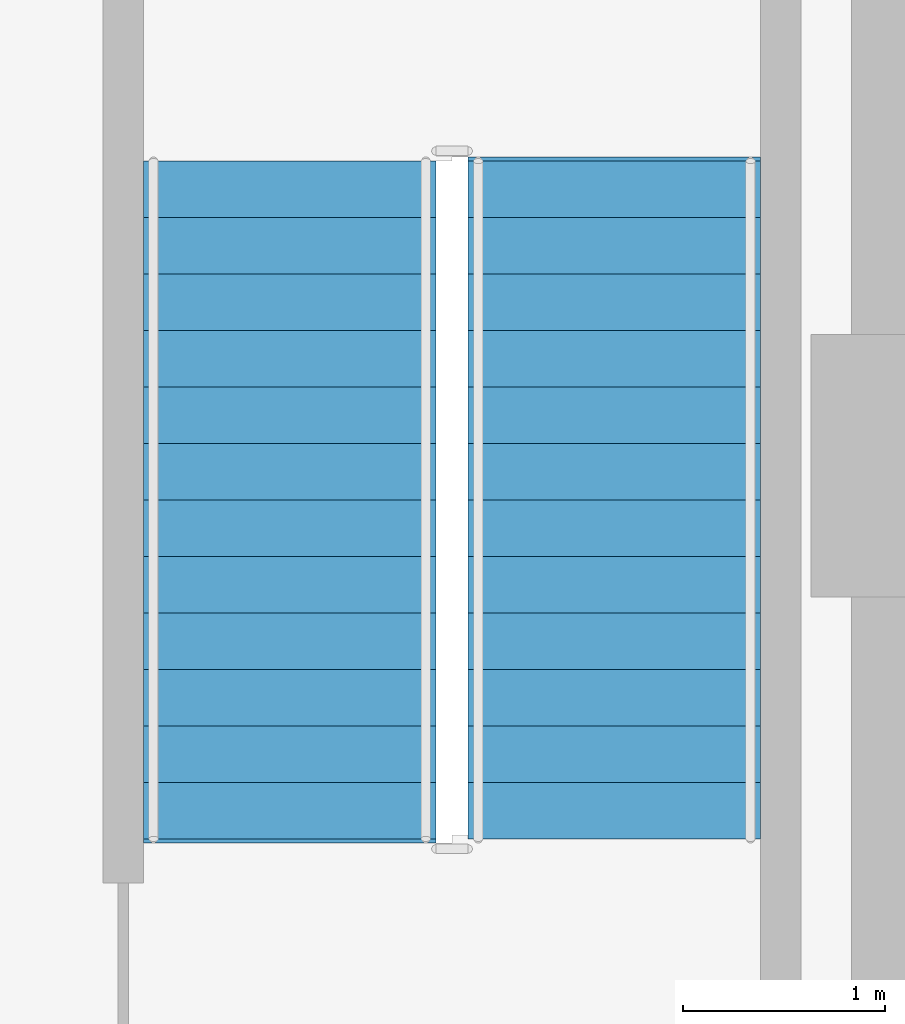
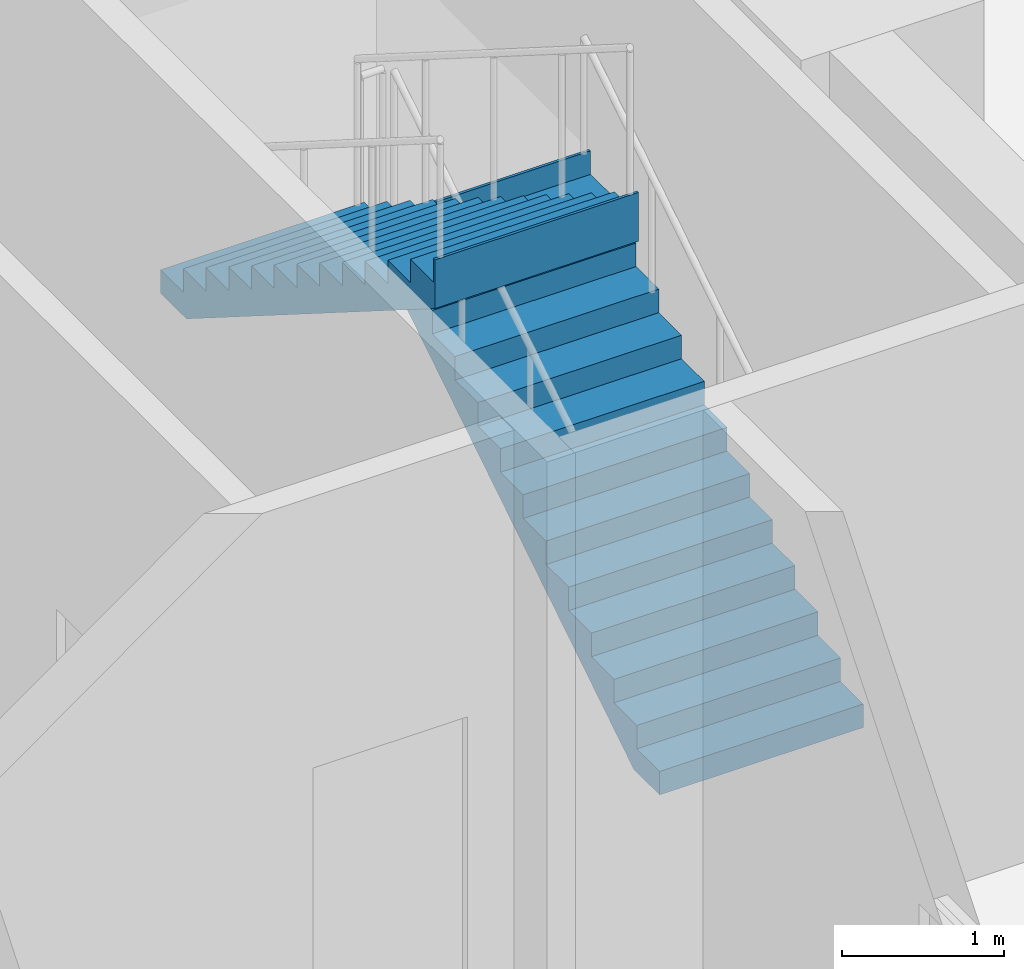
# One storey, part 6 of 14: 2 stair flights, 1 element without a shape of its own.
"""IFC4 building model written with IfcOpenShell, lengths in metres."""

from ifc_helpers import new_model, si_unit, direction, frame, origin, place, context, subcontext, project, spatial, polyline, outline, extrude, material, type_object, element, aggregate, save


model = new_model("IFC4")

# Units and contexts
model_context = context("Model", 3, precision=1e-05, world=origin(), true_north=direction((0.0, 1.0)))
body_context = subcontext(model_context, "Body", "Model", "MODEL_VIEW")
ifc_project = project(units=[si_unit("LENGTHUNIT", "METRE"), si_unit("AREAUNIT", "SQUARE_METRE"), si_unit("VOLUMEUNIT", "CUBIC_METRE"), si_unit("PLANEANGLEUNIT", "RADIAN"), si_unit("MASSUNIT", "GRAM", prefix="KILO")], contexts=[model_context])

# Site, building, storey
site_placement = place(None, origin())
site = spatial("IfcSite", under=ifc_project, at=site_placement, CompositionType="ELEMENT")
building_placement = place(site_placement, origin())
building = spatial("IfcBuilding", under=site, at=building_placement, Name="Nuvemarco Arch Tower", CompositionType="ELEMENT")
storey_placement = place(building_placement, frame((0.0, 0.0, 13.800048828125)))
storey = spatial("IfcBuildingStorey", under=building, at=storey_placement, Name="L03", CompositionType="ELEMENT", Elevation=13.800048828125)

# Stair, stair flights
ifc_material = material(Name="Precast concrete C45/55", Category="concrete")
stair_type = type_object("IfcStairType", Name="ST-CORE-26R", PredefinedType="HALF_TURN_STAIR", material=ifc_material)
stair_placement = place(storey_placement, origin())
stair = element("IfcStair", 1, at=stair_placement, inside=storey, type_object=stair_type, Name="L03 Protected Exit Stair ST-2", PredefinedType="HALF_TURN_STAIR")
stair_flight_type = type_object("IfcStairFlightType", Name="SF-CORE-26R", PredefinedType="STRAIGHT", material=ifc_material)
stair_flight_1_placement = place(storey_placement, frame((15.875, 2.64990234375, 0.0), z_axis=(0.0, 0.0, 1.0), x_axis=(0.0, 1.0, 0.0)))
stair_flight_1 = element("IfcStairFlight", 2, at=stair_flight_1_placement, type_object=stair_flight_type, Name="ST-26R flight 1", NumberOfRisers=13, NumberOfTreads=12, PredefinedType="STRAIGHT", RiserHeight=0.176923077, TreadLength=0.28, context=body_context, shape_type="SweptSolid", body=[
    extrude(outline(polyline([(0.0, 0.0), (0.0, 0.177001953125), (0.280029296875, 0.177001953125), (0.280029296875, 0.353759765625), (0.56005859375, 0.353759765625), (0.56005859375, 0.53076171875), (0.840087890625, 0.53076171875), (0.840087890625, 0.707763671875), (1.1201171875, 0.707763671875), (1.1201171875, 0.884521484375), (1.39990234375, 0.884521484375), (1.39990234375, 1.0615234375), (1.679931640625, 1.0615234375), (1.679931640625, 1.238525390625), (1.9599609375, 1.238525390625), (1.9599609375, 1.415283203125), (2.239990234375, 1.415283203125), (2.239990234375, 1.59228515625), (2.52001953125, 1.59228515625), (2.52001953125, 1.769287109375), (2.800048828125, 1.769287109375), (2.800048828125, 1.946044921875), (3.080078125, 1.946044921875), (3.080078125, 2.123046875), (3.360107421875, 2.123046875), (3.360107421875, 2.300048828125), (3.3798828125, 2.300048828125), (3.3798828125, 1.933837890625), (0.3193359375, 0.0), (0.0, 0.0)])), frame((0.0, 0.72509765625, 0.0), z_axis=(0.0, -1.0, 0.0), x_axis=(1.0, 0.0, 0.0)), (0.0, 0.0, 1.0), 1.449951171875),
])
stair_flight_2_placement = place(storey_placement, frame((14.264892578125, 6.010009765625, 2.300048828125), z_axis=(0.0, 0.0, 1.0), x_axis=(0.0, -1.0, 0.0)))
stair_flight_2 = element("IfcStairFlight", 3, at=stair_flight_2_placement, type_object=stair_flight_type, Name="ST-26R flight 2", NumberOfRisers=13, NumberOfTreads=12, PredefinedType="STRAIGHT", RiserHeight=0.176923077, TreadLength=0.28, context=body_context, shape_type="SweptSolid", body=[
    extrude(outline(polyline([(0.0, 0.0), (0.0, 0.177001953125), (0.280029296875, 0.177001953125), (0.280029296875, 0.353759765625), (0.56005859375, 0.353759765625), (0.56005859375, 0.53076171875), (0.840087890625, 0.53076171875), (0.840087890625, 0.707763671875), (1.1201171875, 0.707763671875), (1.1201171875, 0.884521484375), (1.39990234375, 0.884521484375), (1.39990234375, 1.0615234375), (1.679931640625, 1.0615234375), (1.679931640625, 1.238525390625), (1.9599609375, 1.238525390625), (1.9599609375, 1.415283203125), (2.239990234375, 1.415283203125), (2.239990234375, 1.59228515625), (2.52001953125, 1.59228515625), (2.52001953125, 1.769287109375), (2.800048828125, 1.769287109375), (2.800048828125, 1.946044921875), (3.080078125, 1.946044921875), (3.080078125, 2.123046875), (3.360107421875, 2.123046875), (3.360107421875, 2.300048828125), (3.3798828125, 2.300048828125), (3.3798828125, 1.933837890625), (0.3193359375, 0.0), (0.0, 0.0)])), frame((0.0, 0.72509765625, 0.0), z_axis=(0.0, -1.0, 0.0), x_axis=(1.0, 0.0, 0.0)), (0.0, 0.0, 1.0), 1.449951171875),
])
aggregate(stair, [stair_flight_1, stair_flight_2])

save(model, "model.ifc")
